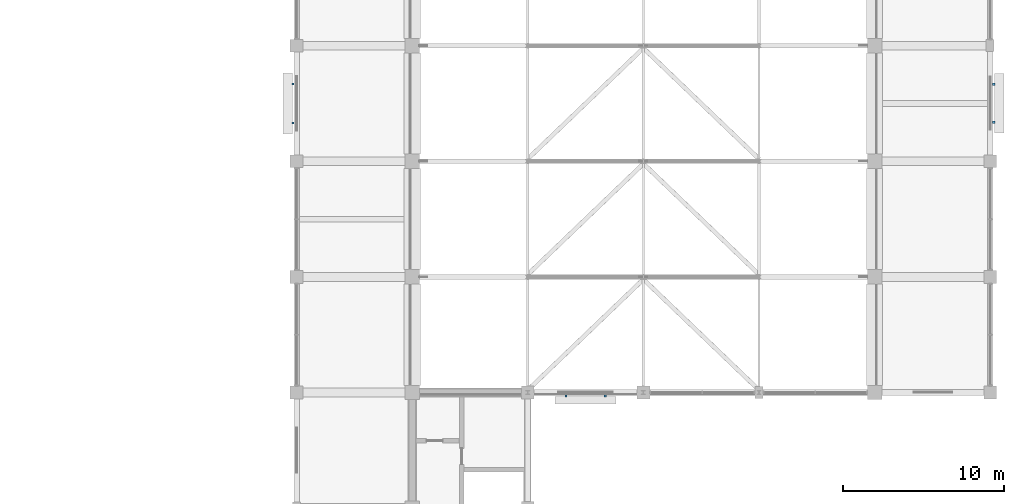
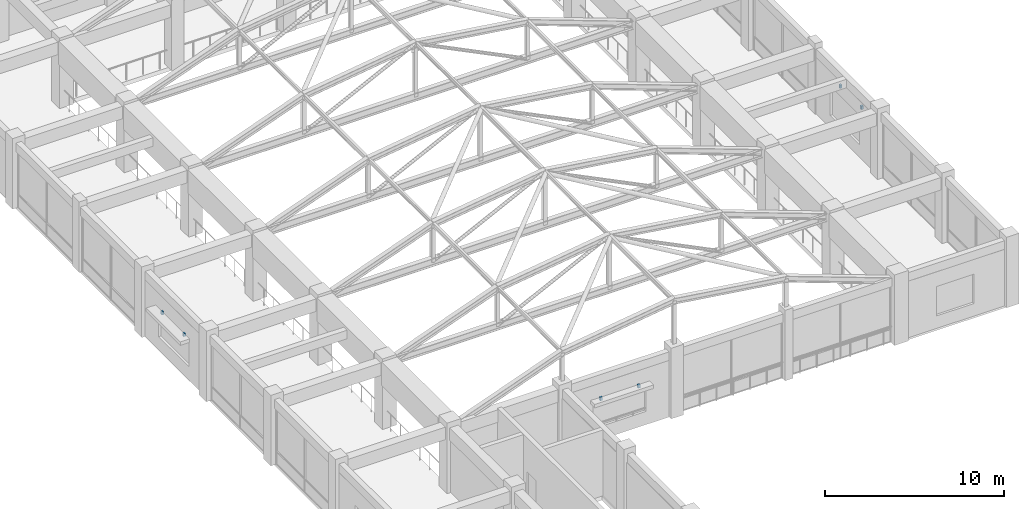
# One storey, part 72 of 75: 6 discrete accessories.
"""IFC4 building model written with IfcOpenShell, lengths in metres."""

from ifc_helpers import new_model, si_unit, direction, frame, origin, origin_2d, place, context, subcontext, project, spatial, rectangle, extrude, material, type_object, element, save


model = new_model("IFC4")

# Units and contexts
model_context = context("Model", 3, precision=1e-05, world=origin(), true_north=direction((0.0, 1.0)))
body_context = subcontext(model_context, "Body", "Model", "MODEL_VIEW")
ifc_project = project(units=[si_unit("LENGTHUNIT", "METRE"), si_unit("AREAUNIT", "SQUARE_METRE"), si_unit("VOLUMEUNIT", "CUBIC_METRE"), si_unit("PLANEANGLEUNIT", "RADIAN"), si_unit("MASSUNIT", "GRAM", prefix="KILO")], contexts=[model_context])

# Site, building, storey
site_placement = place(None, origin())
site = spatial("IfcSite", under=ifc_project, at=site_placement, CompositionType="ELEMENT")
building_placement = place(site_placement, origin())
building = spatial("IfcBuilding", under=site, at=building_placement, Name="Cendaluz Park School", CompositionType="ELEMENT")
storey_placement = place(building_placement, frame((0.0, 0.0, 4.800048828125)))
storey = spatial("IfcBuildingStorey", under=building, at=storey_placement, Name="L01", CompositionType="ELEMENT", Elevation=4.800048828125)

# Discrete accessories
ifc_material = material(Name="Steel S355", Category="steel")
discrete_accessory_type = type_object("IfcDiscreteAccessoryType", Name="BK-01", PredefinedType="BRACKET", material=ifc_material)
for number, where, z_axis, x_axis, name in (
    (1, (129.3798828125, 74.384033203125, 2.72998046875), (0.0, 0.0, 1.0), (0.0, 1.0, 0.0), "BK-L01-087"),
    (2, (129.3798828125, 76.81591796875, 2.72998046875), (0.0, 0.0, 1.0), (0.0, 1.0, 0.0), "BK-L01-088"),
    (3, (146.384033203125, 57.3798828125, 2.72998046875), (0.0, 0.0, 1.0), (1.0, 0.0, 0.0), "BK-L01-089"),
    (4, (148.81591796875, 57.3798828125, 2.72998046875), (0.0, 0.0, 1.0), (1.0, 0.0, 0.0), "BK-L01-090"),
    (5, (173.02001953125, 74.428466796875, 2.8798828125), (0.0, 0.0, 1.0), (0.0, 1.0, 0.0), "BK-L01-093"),
    (6, (173.02001953125, 76.79638671875, 2.8798828125), (0.0, 0.0, 1.0), (0.0, 1.0, 0.0), "BK-L01-094"),
):
    element("IfcDiscreteAccessory", number, at=place(storey_placement, frame(where, z_axis=z_axis, x_axis=x_axis)), inside=storey, type_object=discrete_accessory_type, Name=name, PredefinedType="BRACKET", context=body_context, shape_type="SweptSolid", body=[
        extrude(rectangle(XDim=0.139892578125, YDim=0.139892578125, at=origin_2d()), origin(), (0.0, 0.0, 1.0), 0.219970703125),
    ])

save(model, "model.ifc")
